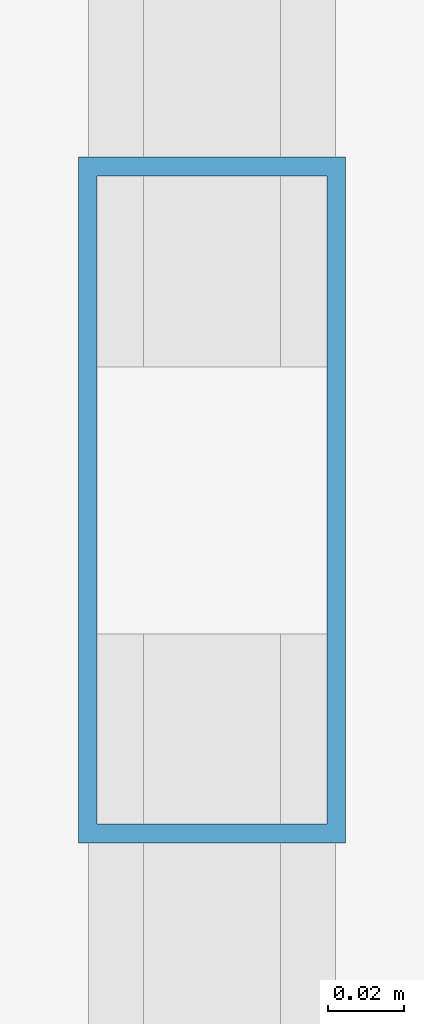
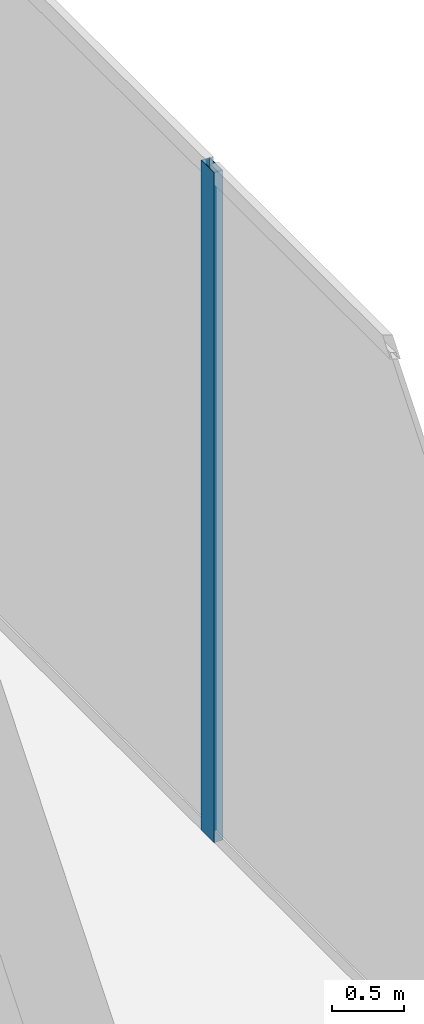
# One storey, part 21 of 30: 1 member, 1 element without a shape of its own.
"""IFC4 building model written with IfcOpenShell, lengths in metres."""

from ifc_helpers import new_model, si_unit, direction, frame, origin, origin_2d, place, context, subcontext, project, spatial, hollow_rectangle, extrude, source, transform, mapped, material, layer, layer_set, material_profile, profile_set, type_object, type_shapes, element, aggregate, save


model = new_model("IFC4")

# Units and contexts
model_context = context("Model", 3, precision=1e-05, world=origin(), true_north=direction((0.0, 1.0)))
body_context = subcontext(model_context, "Body", "Model", "MODEL_VIEW")
ifc_project = project(units=[si_unit("LENGTHUNIT", "METRE"), si_unit("AREAUNIT", "SQUARE_METRE"), si_unit("VOLUMEUNIT", "CUBIC_METRE"), si_unit("PLANEANGLEUNIT", "RADIAN"), si_unit("MASSUNIT", "GRAM", prefix="KILO")], contexts=[model_context])

# Site, building, storey
site_placement = place(None, origin())
site = spatial("IfcSite", under=ifc_project, at=site_placement, CompositionType="ELEMENT")
building_placement = place(site_placement, origin())
building = spatial("IfcBuilding", under=site, at=building_placement, Name="Haelvirn Gate Laboratories", CompositionType="ELEMENT")
storey_placement = place(building_placement, frame((0.0, 0.0, 291.60009765625)))
storey = spatial("IfcBuildingStorey", under=building, at=storey_placement, Name="L70", CompositionType="ELEMENT", Elevation=291.60009765625)

# Curtain wall, member
ifc_material_1 = material(Name="Anodised bronze unitised aluminium & triple low-E glass", Category="aluminium")
ifc_layer = layer(ifc_material_1, 0.176025390625, Name="CW-SYS-4")
ifc_layer_set = layer_set([ifc_layer], Name="Anodised bronze unitised aluminium & triple low-E glass")
curtain_wall_type = type_object("IfcCurtainWallType", Name="CW-SYS-4", PredefinedType="NOTDEFINED", material=ifc_layer_set)
curtain_wall_placement = place(storey_placement, origin())
curtain_wall = element("IfcCurtainWall", 1, at=curtain_wall_placement, inside=storey, type_object=curtain_wall_type, Name="L70 Unitised Curtain Wall CW-L70-P1-E03", PredefinedType="NOTDEFINED")
ifc_material_2 = material(Name="Extruded aluminium 6063-T6 (anodised bronze)", Category="aluminium")
ifc_material_profile = material_profile(ifc_material_2, hollow_rectangle(XDim=0.070068359375, YDim=0.179931640625, WallThickness=0.0048828125, at=origin_2d()), Name="CWM-180x70x5")
ifc_profile_set = profile_set([ifc_material_profile], Name="Extruded aluminium 6063-T6 (anodised bronze)")
member_type = type_object("IfcMemberType", Name="CWM-T180", PredefinedType="MULLION", material=ifc_profile_set)
shared_shape = source(origin(), body_context, "Body", "SweptSolid", [
    extrude(hollow_rectangle(XDim=0.070068359375, YDim=0.179931640625, WallThickness=0.0048828125, at=origin_2d()), origin(), (0.0, 0.0, 1.0), 5.699951171875),
])
type_shapes(member_type, [shared_shape])
member_placement = place(storey_placement, frame((70.699951171875, 24.300048828125, 0.0), z_axis=(0.0, 0.0, 1.0), x_axis=(-1.0, 0.0, 0.0)))
member = element("IfcMember", 2, at=member_placement, type_object=member_type, Name="CW4 mullion 2", PredefinedType="MULLION", context=body_context, shape_type="MappedRepresentation", body=[
    mapped(shared_shape, transform((0.0, 0.0, 0.0), scale=1.0)),
])
aggregate(curtain_wall, [member])

save(model, "model.ifc")
